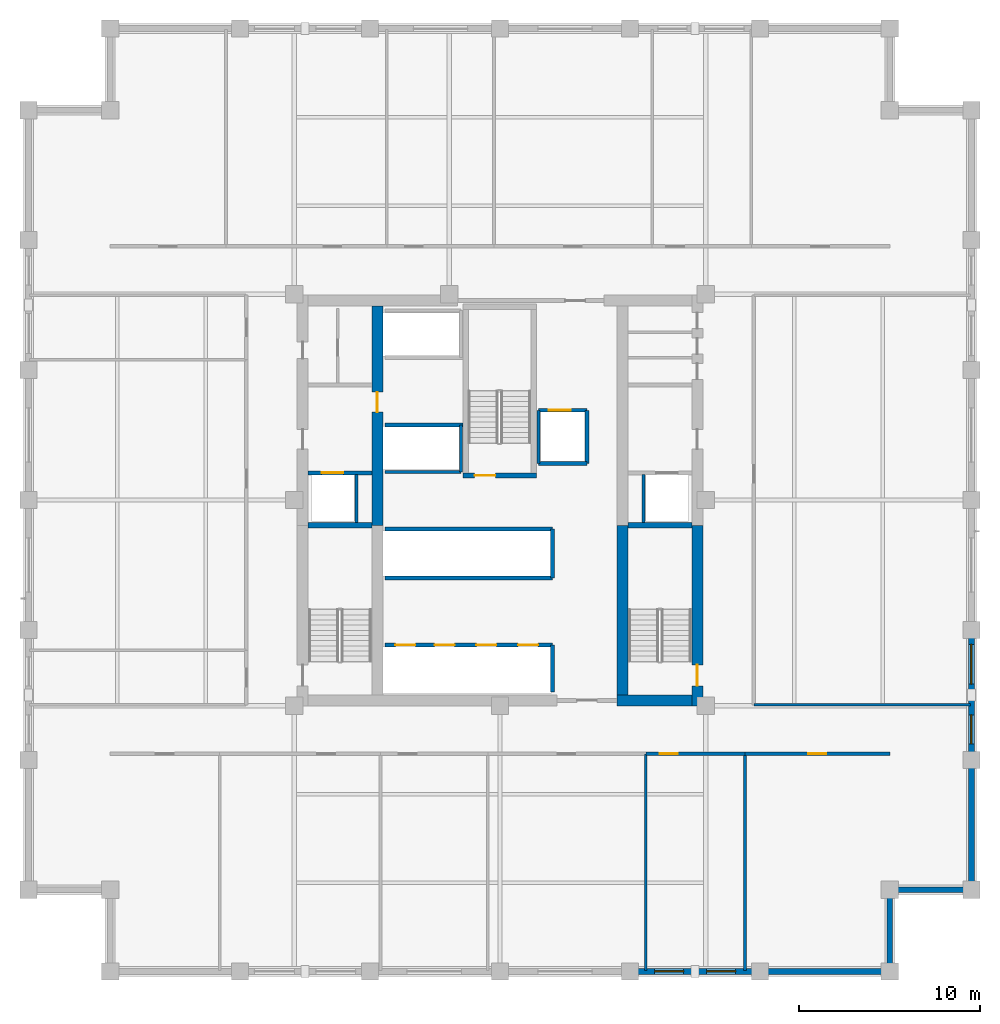
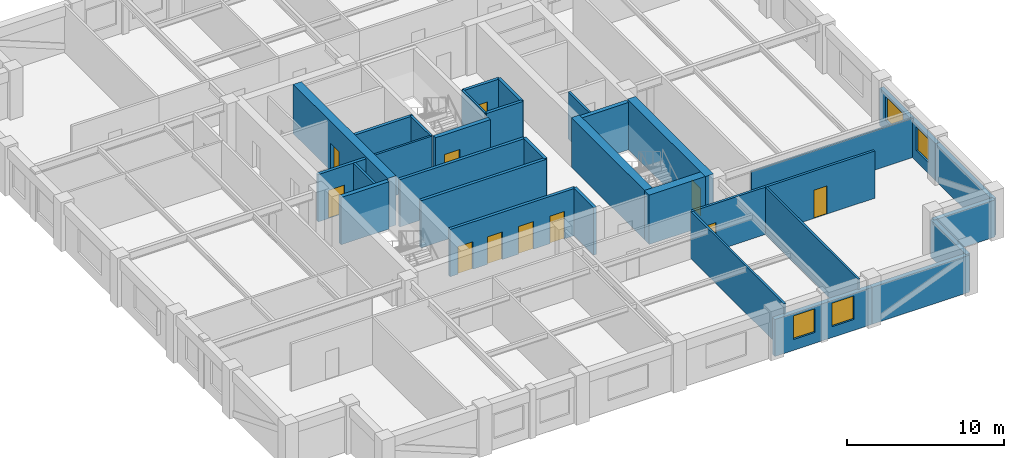
# One storey, part 6 of 9: 33 walls, 11 doors, 4 windows, 15 openings.
"""IFC4 building model written with IfcOpenShell, lengths in metres."""

from ifc_helpers import new_model, si_unit, direction, frame, frame_2d, origin, place, context, subcontext, project, spatial, rectangle, extrude, material, layer, layer_set, type_object, element, fill, save


model = new_model("IFC4")

# Units and contexts
model_context = context("Model", 3, precision=1e-05, world=origin(), true_north=direction((0.0, 1.0)))
body_context = subcontext(model_context, "Body", "Model", "MODEL_VIEW")
ifc_project = project(units=[si_unit("LENGTHUNIT", "METRE"), si_unit("AREAUNIT", "SQUARE_METRE"), si_unit("VOLUMEUNIT", "CUBIC_METRE"), si_unit("PLANEANGLEUNIT", "RADIAN"), si_unit("MASSUNIT", "GRAM", prefix="KILO")], contexts=[model_context])

# Site, building, storey
site_placement = place(None, origin())
site = spatial("IfcSite", under=ifc_project, at=site_placement, CompositionType="ELEMENT")
building_placement = place(site_placement, origin())
building = spatial("IfcBuilding", under=site, at=building_placement, Name="Nhamokura Convention Tower", CompositionType="ELEMENT")
storey_placement = place(building_placement, frame((0.0, 0.0, 126.0)))
storey = spatial("IfcBuildingStorey", under=building, at=storey_placement, Name="L30", CompositionType="ELEMENT", Elevation=126.0)

# Wall, openings, windows
ifc_material_1 = material(Name="Bronze-pigmented precast concrete C45/55", Category="concrete")
ifc_layer_1 = layer(ifc_material_1, 0.320068359375)
ifc_layer_set_1 = layer_set([ifc_layer_1], Name="BronzePrecastSpandrel_320")
wall_type_1 = type_object("IfcWallType", Name="BronzePrecastSpandrel_320", PredefinedType="USERDEFINED", material=ifc_layer_set_1)
wall_1_placement = place(storey_placement, frame((46.333251953125, 6.0, 0.0), z_axis=(0.0, 0.0, 1.0), x_axis=(-1.0, 0.0, 0.0)))
wall_1 = element("IfcWall", 1, at=wall_1_placement, inside=storey, type_object=wall_type_1, Name="L30 Masonry-Frame Wall SOUTH 4", ObjectType="SPANDREL_WALL", PredefinedType="USERDEFINED", context=body_context, shape_type="SweptSolid", body=[
    extrude(rectangle(XDim=7.16650390625, YDim=0.320068359375, at=frame_2d((3.583251953125, 0.0))), origin(), (0.0, 0.0, 1.0), 2.885009765625),
])
opening_1_placement = place(wall_1_placement, frame((1.341796875, 0.0, 0.85009765625)))
opening_1 = element("IfcOpeningElement", 2, at=opening_1_placement, cuts=wall_1, Name="Opening W-11", PredefinedType="OPENING", context=body_context, shape_type="SweptSolid", body=[
    extrude(rectangle(XDim=1.60009765625, YDim=1.8349609375, at=frame_2d((0.800048828125, 0.91748046875))), frame((0.0, 0.169921875, 0.0), z_axis=(0.0, -1.0, 0.0), x_axis=(1.0, 0.0, 0.0)), (0.0, 0.0, 1.0), 0.340087890625),
])
opening_2_placement = place(wall_1_placement, frame((4.199951171875, 0.0, 0.85009765625)))
opening_2 = element("IfcOpeningElement", 3, at=opening_2_placement, cuts=wall_1, Name="Opening W-11", PredefinedType="OPENING", context=body_context, shape_type="SweptSolid", body=[
    extrude(rectangle(XDim=1.60009765625, YDim=1.8349609375, at=frame_2d((0.800048828125, 0.91748046875))), frame((0.0, 0.169921875, 0.0), z_axis=(0.0, -1.0, 0.0), x_axis=(1.0, 0.0, 0.0)), (0.0, 0.0, 1.0), 0.340087890625),
])
ifc_material_2 = material(Name="Solar-control bronze low-E double glass", Category="glass")
window_type_1 = type_object("IfcWindowType", Name="NotchCornerWindow_1600", PartitioningType="SINGLE_PANEL", PredefinedType="WINDOW", material=ifc_material_2)
window_1_placement = place(opening_1_placement, origin())
window_1 = element("IfcWindow", 4, at=window_1_placement, inside=storey, type_object=window_type_1, Name="L30 Facade Window SOUTH 4-1", OverallHeight=1.8349609375, OverallWidth=1.60009765625, PartitioningType="SINGLE_PANEL", PredefinedType="WINDOW", context=body_context, shape_type="SweptSolid", body=[
    extrude(rectangle(XDim=1.60009765625, YDim=1.8349609375, at=frame_2d((0.800048828125, 0.91748046875))), frame((0.0, 0.030029296875, 0.0), z_axis=(0.0, -1.0, 0.0), x_axis=(1.0, 0.0, 0.0)), (0.0, 0.0, 1.0), 0.06005859375),
])
fill(opening_1, window_1)
window_2_placement = place(opening_2_placement, origin())
window_2 = element("IfcWindow", 5, at=window_2_placement, inside=storey, type_object=window_type_1, Name="L30 Facade Window SOUTH 4-2", OverallHeight=1.8349609375, OverallWidth=1.60009765625, PartitioningType="SINGLE_PANEL", PredefinedType="WINDOW", context=body_context, shape_type="SweptSolid", body=[
    extrude(rectangle(XDim=1.60009765625, YDim=1.8349609375, at=frame_2d((0.800048828125, 0.91748046875))), frame((0.0, 0.030029296875, 0.0), z_axis=(0.0, -1.0, 0.0), x_axis=(1.0, 0.0, 0.0)), (0.0, 0.0, 1.0), 0.06005859375),
])
fill(opening_2, window_2)

# Walls
for number, where, z_axis, x_axis, name in (
    (6, (53.5, 6.0, 0.0), (0.0, 0.0, 1.0), (-1.0, 0.0, 0.0), "L30 Braced-Bay Precast Wall SOUTH 5"),
    (7, (58.0, 17.666748046875, 0.0), (0.0, 0.0, 1.0), (0.0, -1.0, 0.0), "L30 Braced-Bay Precast Wall EAST 0"),
):
    element("IfcWall", number, at=place(storey_placement, frame(where, z_axis=z_axis, x_axis=x_axis)), inside=storey, type_object=wall_type_1, Name=name, ObjectType="SPANDREL_WALL", PredefinedType="USERDEFINED", context=body_context, shape_type="SweptSolid", body=[
        extrude(rectangle(XDim=7.166748046875, YDim=0.320068359375, at=frame_2d((3.58349609375, 0.0))), origin(), (0.0, 0.0, 1.0), 2.885009765625),
    ])

# Wall, openings, windows
wall_2_placement = place(storey_placement, frame((58.0, 24.833251953125, 0.0), z_axis=(0.0, 0.0, 1.0), x_axis=(0.0, -1.0, 0.0)))
wall_2 = element("IfcWall", 8, at=wall_2_placement, inside=storey, type_object=wall_type_1, Name="L30 Masonry-Frame Wall EAST 1", ObjectType="SPANDREL_WALL", PredefinedType="USERDEFINED", context=body_context, shape_type="SweptSolid", body=[
    extrude(rectangle(XDim=7.16650390625, YDim=0.320068359375, at=frame_2d((3.583251953125, 0.0))), origin(), (0.0, 0.0, 1.0), 2.885009765625),
])
opening_3_placement = place(wall_2_placement, frame((0.791748046875, 0.0, 0.85009765625)))
opening_3 = element("IfcOpeningElement", 9, at=opening_3_placement, cuts=wall_2, Name="Opening W-06", PredefinedType="OPENING", context=body_context, shape_type="SweptSolid", body=[
    extrude(rectangle(XDim=2.199951171875, YDim=1.8349609375, at=frame_2d((1.10009765625, 0.91748046875))), frame((0.0, 0.169921875, 0.0), z_axis=(0.0, -1.0, 0.0), x_axis=(1.0, 0.0, 0.0)), (0.0, 0.0, 1.0), 0.340087890625),
])
opening_4_placement = place(wall_2_placement, frame((4.6875, 0.0, 0.85009765625)))
opening_4 = element("IfcOpeningElement", 10, at=opening_4_placement, cuts=wall_2, Name="Opening W-11", PredefinedType="OPENING", context=body_context, shape_type="SweptSolid", body=[
    extrude(rectangle(XDim=1.60009765625, YDim=1.8349609375, at=frame_2d((0.800048828125, 0.91748046875))), frame((0.0, 0.169921875, 0.0), z_axis=(0.0, -1.0, 0.0), x_axis=(1.0, 0.0, 0.0)), (0.0, 0.0, 1.0), 0.340087890625),
])
window_3_placement = place(opening_4_placement, origin())
window_3 = element("IfcWindow", 11, at=window_3_placement, inside=storey, type_object=window_type_1, Name="L30 Facade Window EAST 1-2", OverallHeight=1.8349609375, OverallWidth=1.60009765625, PartitioningType="SINGLE_PANEL", PredefinedType="WINDOW", context=body_context, shape_type="SweptSolid", body=[
    extrude(rectangle(XDim=1.60009765625, YDim=1.8349609375, at=frame_2d((0.800048828125, 0.91748046875))), frame((0.0, 0.030029296875, 0.0), z_axis=(0.0, -1.0, 0.0), x_axis=(1.0, 0.0, 0.0)), (0.0, 0.0, 1.0), 0.06005859375),
])
fill(opening_4, window_3)
ifc_material_3 = material(Name="Solar-control bronze low-E double glass", Category="glass")
window_type_2 = type_object("IfcWindowType", Name="OfficeModuleWindow_Z2_2200", PartitioningType="SINGLE_PANEL", PredefinedType="WINDOW", material=ifc_material_3)
window_4_placement = place(opening_3_placement, origin())
window_4 = element("IfcWindow", 12, at=window_4_placement, inside=storey, type_object=window_type_2, Name="L30 Facade Window EAST 1-1", OverallHeight=1.8349609375, OverallWidth=2.199951171875, PartitioningType="SINGLE_PANEL", PredefinedType="WINDOW", context=body_context, shape_type="SweptSolid", body=[
    extrude(rectangle(XDim=2.199951171875, YDim=1.8349609375, at=frame_2d((1.10009765625, 0.91748046875))), frame((0.0, 0.030029296875, 0.0), z_axis=(0.0, -1.0, 0.0), x_axis=(1.0, 0.0, 0.0)), (0.0, 0.0, 1.0), 0.06005859375),
])
fill(opening_3, window_4)

# Walls
for number, where, z_axis, x_axis, name in (
    (13, (53.5, 10.5, 0.0), (0.0, 0.0, 1.0), (0.0, -1.0, 0.0), "L30 Notched Corner Wall SE1"),
    (14, (58.0, 10.5, 0.0), (0.0, 0.0, 1.0), (-1.0, 0.0, 0.0), "L30 Notched Corner Wall SE2"),
):
    element("IfcWall", number, at=place(storey_placement, frame(where, z_axis=z_axis, x_axis=x_axis)), inside=storey, type_object=wall_type_1, Name=name, ObjectType="SPANDREL_WALL", PredefinedType="USERDEFINED", context=body_context, shape_type="SweptSolid", body=[
        extrude(rectangle(XDim=4.5, YDim=0.320068359375, at=frame_2d((2.25, 0.0))), origin(), (0.0, 0.0, 1.0), 2.885009765625),
    ])

# Wall, opening, door
ifc_material_4 = material(Name="Concrete C60/75", Category="concrete")
ifc_layer_2 = layer(ifc_material_4, 0.60009765625)
ifc_layer_set_2 = layer_set([ifc_layer_2], Name="CoreShearWall_600")
wall_type_2 = type_object("IfcWallType", Name="CoreShearWall_600", PredefinedType="SHEAR", material=ifc_layer_set_2)
wall_3_placement = place(storey_placement, frame((42.889892578125, 20.64990234375, 0.0), z_axis=(0.0, 0.0, 1.0), x_axis=(0.0, 1.0, 0.0)))
wall_3 = element("IfcWall", 15, at=wall_3_placement, inside=storey, type_object=wall_type_2, Name="L30 Core Shear Wall CW-ES", PredefinedType="SHEAR", context=body_context, shape_type="SweptSolid", body=[
    extrude(rectangle(XDim=9.9501953125, YDim=0.60009765625, at=frame_2d((4.97509765625, 0.0))), origin(), (0.0, 0.0, 1.0), 3.85009765625),
])
opening_5_placement = place(wall_3_placement, frame((1.10009765625, 0.0, 0.0)))
opening_5 = element("IfcOpeningElement", 16, at=opening_5_placement, cuts=wall_3, Name="Opening D-04", PredefinedType="OPENING", context=body_context, shape_type="SweptSolid", body=[
    extrude(rectangle(XDim=1.14990234375, YDim=2.14990234375, at=frame_2d((0.574951171875, 1.074951171875))), frame((0.0, 0.31005859375, 0.0), z_axis=(0.0, -1.0, 0.0), x_axis=(1.0, 0.0, 0.0)), (0.0, 0.0, 1.0), 0.6201171875),
])
ifc_material_5 = material(Name="Fire-rated steel door", Category="steel")
door_type_1 = type_object("IfcDoorType", Name="StairSmokeDoor_1150", OperationType="NOTDEFINED", PredefinedType="DOOR", material=ifc_material_5)
door_1_placement = place(opening_5_placement, origin())
door_1 = element("IfcDoor", 17, at=door_1_placement, inside=storey, type_object=door_type_1, Name="L30 Core Door INT-L30-D-ST02", OperationType="SINGLE_SWING_RIGHT", OverallHeight=2.14990234375, OverallWidth=1.14990234375, PredefinedType="DOOR", context=body_context, shape_type="SweptSolid", body=[
    extrude(rectangle(XDim=1.14990234375, YDim=2.14990234375, at=frame_2d((0.574951171875, 1.074951171875))), frame((0.0, 0.02490234375, 0.0), z_axis=(0.0, -1.0, 0.0), x_axis=(1.0, 0.0, 0.0)), (0.0, 0.0, 1.0), 0.050048828125),
])
fill(opening_5, door_1)

# Wall
wall_4_placement = place(storey_placement, frame((38.449951171875, 20.949951171875, 0.0), z_axis=(0.0, 0.0, 1.0), x_axis=(1.0, 0.0, 0.0)))
element("IfcWall", 18, at=wall_4_placement, inside=storey, type_object=wall_type_2, Name="L30 Core Shear Wall CW-S2", PredefinedType="SHEAR", context=body_context, shape_type="SweptSolid", body=[
    extrude(rectangle(XDim=4.14013671875, YDim=0.60009765625, at=frame_2d((2.070068359375, 0.0))), origin(), (0.0, 0.0, 1.0), 3.85009765625),
])

# Wall, opening, door
wall_5_placement = place(storey_placement, frame((25.239990234375, 30.60009765625, 0.0), z_axis=(0.0, 0.0, 1.0), x_axis=(0.0, 1.0, 0.0)))
wall_5 = element("IfcWall", 19, at=wall_5_placement, inside=storey, type_object=wall_type_2, Name="L30 Core Shear Wall CW-IWN", PredefinedType="SHEAR", context=body_context, shape_type="SweptSolid", body=[
    extrude(rectangle(XDim=12.099853515625, YDim=0.60009765625, at=frame_2d((6.0498046875, 0.0))), origin(), (0.0, 0.0, 1.0), 3.85009765625),
])
opening_6_placement = place(wall_5_placement, frame((6.25, 0.0, 0.0)))
opening_6 = element("IfcOpeningElement", 20, at=opening_6_placement, cuts=wall_5, Name="Opening D-05", PredefinedType="OPENING", context=body_context, shape_type="SweptSolid", body=[
    extrude(rectangle(XDim=1.10009765625, YDim=2.14990234375, at=frame_2d((0.550048828125, 1.074951171875))), frame((0.0, 0.31005859375, 0.0), z_axis=(0.0, -1.0, 0.0), x_axis=(1.0, 0.0, 0.0)), (0.0, 0.0, 1.0), 0.6201171875),
])
ifc_material_6 = material(Name="Fire-rated steel door", Category="steel")
door_type_2 = type_object("IfcDoorType", Name="FireLobbyDoor_1100", OperationType="NOTDEFINED", PredefinedType="DOOR", material=ifc_material_6)
door_2_placement = place(opening_6_placement, origin())
door_2 = element("IfcDoor", 21, at=door_2_placement, inside=storey, type_object=door_type_2, Name="L30 Core Door INT-L30-D-B3LOB", OperationType="SINGLE_SWING_LEFT", OverallHeight=2.14990234375, OverallWidth=1.10009765625, PredefinedType="DOOR", context=body_context, shape_type="SweptSolid", body=[
    extrude(rectangle(XDim=1.10009765625, YDim=2.14990234375, at=frame_2d((0.550048828125, 1.074951171875))), frame((0.0, 0.02490234375, 0.0), z_axis=(0.0, -1.0, 0.0), x_axis=(1.0, 0.0, 0.0)), (0.0, 0.0, 1.0), 0.050048828125),
])
fill(opening_6, door_2)

# Wall
wall_6_placement = place(storey_placement, frame((38.760009765625, 21.25, 0.0), z_axis=(0.0, 0.0, 1.0), x_axis=(0.0, 1.0, 0.0)))
element("IfcWall", 22, at=wall_6_placement, inside=storey, type_object=wall_type_2, Name="L30 Core Shear Wall CW-IES", PredefinedType="SHEAR", context=body_context, shape_type="SweptSolid", body=[
    extrude(rectangle(XDim=9.35009765625, YDim=0.60009765625, at=frame_2d((4.675048828125, 0.0))), origin(), (0.0, 0.0, 1.0), 3.85009765625),
])

# Wall, opening, door
ifc_material_7 = material(Name="Fire-rated gypsum and masonry partition", Category="masonry")
ifc_layer_3 = layer(ifc_material_7, 0.179931640625)
ifc_layer_set_3 = layer_set([ifc_layer_3], Name="CorridorRatedWall_180")
wall_type_3 = type_object("IfcWallType", Name="CorridorRatedWall_180", PredefinedType="STANDARD", material=ifc_layer_set_3)
wall_7_placement = place(storey_placement, frame((40.041748046875, 18.0, 0.0), z_axis=(0.0, 0.0, 1.0), x_axis=(1.0, 0.0, 0.0)))
wall_7 = element("IfcWall", 23, at=wall_7_placement, inside=storey, type_object=wall_type_3, Name="L30 Wall INT-L30-CW-S04", PredefinedType="STANDARD", context=body_context, shape_type="SweptSolid", body=[
    extrude(rectangle(XDim=5.466552734375, YDim=0.179931640625, at=frame_2d((2.7333984375, 0.0))), origin(), (0.0, 0.0, 1.0), 3.68505859375),
])
opening_7_placement = place(wall_7_placement, frame((0.783203125, 0.0, 0.0)))
opening_7 = element("IfcOpeningElement", 24, at=opening_7_placement, cuts=wall_7, Name="Opening D-08", PredefinedType="OPENING", context=body_context, shape_type="SweptSolid", body=[
    extrude(rectangle(XDim=0.97998046875, YDim=2.199951171875, at=frame_2d((0.489990234375, 1.10009765625))), frame((0.0, 0.099853515625, 0.0), z_axis=(0.0, -1.0, 0.0), x_axis=(1.0, 0.0, 0.0)), (0.0, 0.0, 1.0), 0.199951171875),
])
ifc_material_8 = material(Name="Solid oak hardwood", Category="wood")
door_type_3 = type_object("IfcDoorType", Name="OfficeEntryDoor_980", OperationType="NOTDEFINED", PredefinedType="DOOR", material=ifc_material_8)
door_3_placement = place(opening_7_placement, origin())
door_3 = element("IfcDoor", 25, at=door_3_placement, inside=storey, type_object=door_type_3, Name="L30 Private Office S05 Door", OperationType="SINGLE_SWING_LEFT", OverallHeight=2.199951171875, OverallWidth=0.97998046875, PredefinedType="DOOR", context=body_context, shape_type="SweptSolid", body=[
    extrude(rectangle(XDim=0.97998046875, YDim=2.199951171875, at=frame_2d((0.489990234375, 1.10009765625))), frame((0.0, 0.02490234375, 0.0), z_axis=(0.0, -1.0, 0.0), x_axis=(1.0, 0.0, 0.0)), (0.0, 0.0, 1.0), 0.050048828125),
])
fill(opening_7, door_3)

wall_8_placement = place(storey_placement, frame((45.50830078125, 18.0, 0.0), z_axis=(0.0, 0.0, 1.0), x_axis=(1.0, 0.0, 0.0)))
wall_8 = element("IfcWall", 26, at=wall_8_placement, inside=storey, type_object=wall_type_3, Name="L30 Wall INT-L30-CW-S05", PredefinedType="STANDARD", context=body_context, shape_type="SweptSolid", body=[
    extrude(rectangle(XDim=7.99169921875, YDim=0.179931640625, at=frame_2d((3.995849609375, 0.0))), origin(), (0.0, 0.0, 1.0), 3.68505859375),
])
opening_8_placement = place(wall_8_placement, frame((3.495849609375, 0.0, 0.0)))
opening_8 = element("IfcOpeningElement", 27, at=opening_8_placement, cuts=wall_8, Name="Opening D-08", PredefinedType="OPENING", context=body_context, shape_type="SweptSolid", body=[
    extrude(rectangle(XDim=0.97998046875, YDim=2.199951171875, at=frame_2d((0.489990234375, 1.10009765625))), frame((0.0, 0.099853515625, 0.0), z_axis=(0.0, -1.0, 0.0), x_axis=(1.0, 0.0, 0.0)), (0.0, 0.0, 1.0), 0.199951171875),
])
door_4_placement = place(opening_8_placement, origin())
door_4 = element("IfcDoor", 28, at=door_4_placement, inside=storey, type_object=door_type_3, Name="L30 Private Office S06 Door", OperationType="SINGLE_SWING_RIGHT", OverallHeight=2.199951171875, OverallWidth=0.97998046875, PredefinedType="DOOR", context=body_context, shape_type="SweptSolid", body=[
    extrude(rectangle(XDim=0.97998046875, YDim=2.199951171875, at=frame_2d((0.489990234375, 1.10009765625))), frame((0.0, 0.02490234375, 0.0), z_axis=(0.0, -1.0, 0.0), x_axis=(1.0, 0.0, 0.0)), (0.0, 0.0, 1.0), 0.050048828125),
])
fill(opening_8, door_4)

ifc_material_9 = material(Name="Autoclaved concrete blockwork", Category="masonry")
ifc_layer_4 = layer(ifc_material_9, 0.219970703125)
ifc_layer_set_4 = layer_set([ifc_layer_4], Name="FireLobbyWall_220")
wall_type_4 = type_object("IfcWallType", Name="FireLobbyWall_220", PredefinedType="STANDARD", material=ifc_layer_set_4)
wall_9_placement = place(storey_placement, frame((21.409912109375, 33.5, 0.0), z_axis=(0.0, 0.0, 1.0), x_axis=(1.0, 0.0, 0.0)))
wall_9 = element("IfcWall", 29, at=wall_9_placement, inside=storey, type_object=wall_type_4, Name="L30 Wall INT-L30-FFW-S", PredefinedType="STANDARD", context=body_context, shape_type="SweptSolid", body=[
    extrude(rectangle(XDim=3.530029296875, YDim=0.219970703125, at=frame_2d((1.76513671875, 0.0))), origin(), (0.0, 0.0, 1.0), 3.68505859375),
])
opening_9_placement = place(wall_9_placement, frame((0.75, 0.0, 0.0)))
opening_9 = element("IfcOpeningElement", 30, at=opening_9_placement, cuts=wall_9, Name="Opening LD-02", PredefinedType="OPENING", context=body_context, shape_type="SweptSolid", body=[
    extrude(rectangle(XDim=1.199951171875, YDim=2.199951171875, at=frame_2d((0.60009765625, 1.10009765625))), frame((0.0, 0.119873046875, 0.0), z_axis=(0.0, -1.0, 0.0), x_axis=(1.0, 0.0, 0.0)), (0.0, 0.0, 1.0), 0.239990234375),
])
ifc_material_10 = material(Name="Anodised bronze stainless steel", Category="steel")
door_type_4 = type_object("IfcDoorType", Name="LiftLandingDoor_FireService", OperationType="DOUBLE_DOOR_SLIDING", PredefinedType="DOOR", material=ifc_material_10)
door_5_placement = place(opening_9_placement, origin())
door_5 = element("IfcDoor", 31, at=door_5_placement, inside=storey, type_object=door_type_4, Name="L30 Firefighting Lift LF-01 Door", OperationType="DOUBLE_DOOR_SLIDING", OverallHeight=2.199951171875, OverallWidth=1.199951171875, PredefinedType="DOOR", context=body_context, shape_type="SweptSolid", body=[
    extrude(rectangle(XDim=1.199951171875, YDim=2.199951171875, at=frame_2d((0.60009765625, 1.10009765625))), frame((0.0, 0.02490234375, 0.0), z_axis=(0.0, -1.0, 0.0), x_axis=(1.0, 0.0, 0.0)), (0.0, 0.0, 1.0), 0.050048828125),
])
fill(opening_9, door_5)

# Wall, openings, doors
wall_10_placement = place(storey_placement, frame((25.64990234375, 24.0, 0.0), z_axis=(0.0, 0.0, 1.0), x_axis=(1.0, 0.0, 0.0)))
wall_10 = element("IfcWall", 32, at=wall_10_placement, inside=storey, type_object=wall_type_4, Name="L30 Wall INT-L30-B1N", PredefinedType="STANDARD", context=body_context, shape_type="SweptSolid", body=[
    extrude(rectangle(XDim=9.25, YDim=0.219970703125, at=frame_2d((4.625, 0.0))), origin(), (0.0, 0.0, 1.0), 3.68505859375),
])
opening_10_placement = place(wall_10_placement, frame((0.580078125, 0.0, 0.0)))
opening_10 = element("IfcOpeningElement", 33, at=opening_10_placement, cuts=wall_10, Name="Opening LD-01", PredefinedType="OPENING", context=body_context, shape_type="SweptSolid", body=[
    extrude(rectangle(XDim=1.10009765625, YDim=2.14990234375, at=frame_2d((0.550048828125, 1.074951171875))), frame((0.0, 0.119873046875, 0.0), z_axis=(0.0, -1.0, 0.0), x_axis=(1.0, 0.0, 0.0)), (0.0, 0.0, 1.0), 0.239990234375),
])
opening_11_placement = place(wall_10_placement, frame((2.75, 0.0, 0.0)))
opening_11 = element("IfcOpeningElement", 34, at=opening_11_placement, cuts=wall_10, Name="Opening LD-01", PredefinedType="OPENING", context=body_context, shape_type="SweptSolid", body=[
    extrude(rectangle(XDim=1.10009765625, YDim=2.14990234375, at=frame_2d((0.550048828125, 1.074951171875))), frame((0.0, 0.119873046875, 0.0), z_axis=(0.0, -1.0, 0.0), x_axis=(1.0, 0.0, 0.0)), (0.0, 0.0, 1.0), 0.239990234375),
])
opening_12_placement = place(wall_10_placement, frame((5.050048828125, 0.0, 0.0)))
opening_12 = element("IfcOpeningElement", 35, at=opening_12_placement, cuts=wall_10, Name="Opening LD-01", PredefinedType="OPENING", context=body_context, shape_type="SweptSolid", body=[
    extrude(rectangle(XDim=1.10009765625, YDim=2.14990234375, at=frame_2d((0.550048828125, 1.074951171875))), frame((0.0, 0.119873046875, 0.0), z_axis=(0.0, -1.0, 0.0), x_axis=(1.0, 0.0, 0.0)), (0.0, 0.0, 1.0), 0.239990234375),
])
opening_13_placement = place(wall_10_placement, frame((7.35009765625, 0.0, 0.0)))
opening_13 = element("IfcOpeningElement", 36, at=opening_13_placement, cuts=wall_10, Name="Opening LD-01", PredefinedType="OPENING", context=body_context, shape_type="SweptSolid", body=[
    extrude(rectangle(XDim=1.10009765625, YDim=2.14990234375, at=frame_2d((0.550048828125, 1.074951171875))), frame((0.0, 0.119873046875, 0.0), z_axis=(0.0, -1.0, 0.0), x_axis=(1.0, 0.0, 0.0)), (0.0, 0.0, 1.0), 0.239990234375),
])
ifc_material_11 = material(Name="Anodised bronze stainless steel", Category="steel")
door_type_5 = type_object("IfcDoorType", Name="LiftLandingDoor_Passenger", OperationType="DOUBLE_DOOR_SLIDING", PredefinedType="DOOR", material=ifc_material_11)
door_6_placement = place(opening_10_placement, origin())
door_6 = element("IfcDoor", 37, at=door_6_placement, inside=storey, type_object=door_type_5, Name="L30 Lift LP-01 Landing Door", OperationType="DOUBLE_DOOR_SLIDING", OverallHeight=2.14990234375, OverallWidth=1.10009765625, PredefinedType="DOOR", context=body_context, shape_type="SweptSolid", body=[
    extrude(rectangle(XDim=1.10009765625, YDim=2.14990234375, at=frame_2d((0.550048828125, 1.074951171875))), frame((0.0, 0.02490234375, 0.0), z_axis=(0.0, -1.0, 0.0), x_axis=(1.0, 0.0, 0.0)), (0.0, 0.0, 1.0), 0.050048828125),
])
fill(opening_10, door_6)
door_7_placement = place(opening_11_placement, origin())
door_7 = element("IfcDoor", 38, at=door_7_placement, inside=storey, type_object=door_type_5, Name="L30 Lift LP-02 Landing Door", OperationType="DOUBLE_DOOR_SLIDING", OverallHeight=2.14990234375, OverallWidth=1.10009765625, PredefinedType="DOOR", context=body_context, shape_type="SweptSolid", body=[
    extrude(rectangle(XDim=1.10009765625, YDim=2.14990234375, at=frame_2d((0.550048828125, 1.074951171875))), frame((0.0, 0.02490234375, 0.0), z_axis=(0.0, -1.0, 0.0), x_axis=(1.0, 0.0, 0.0)), (0.0, 0.0, 1.0), 0.050048828125),
])
fill(opening_11, door_7)
door_8_placement = place(opening_12_placement, origin())
door_8 = element("IfcDoor", 39, at=door_8_placement, inside=storey, type_object=door_type_5, Name="L30 Lift LP-03 Landing Door", OperationType="DOUBLE_DOOR_SLIDING", OverallHeight=2.14990234375, OverallWidth=1.10009765625, PredefinedType="DOOR", context=body_context, shape_type="SweptSolid", body=[
    extrude(rectangle(XDim=1.10009765625, YDim=2.14990234375, at=frame_2d((0.550048828125, 1.074951171875))), frame((0.0, 0.02490234375, 0.0), z_axis=(0.0, -1.0, 0.0), x_axis=(1.0, 0.0, 0.0)), (0.0, 0.0, 1.0), 0.050048828125),
])
fill(opening_12, door_8)
door_9_placement = place(opening_13_placement, origin())
door_9 = element("IfcDoor", 40, at=door_9_placement, inside=storey, type_object=door_type_5, Name="L30 Lift LP-04 Landing Door", OperationType="DOUBLE_DOOR_SLIDING", OverallHeight=2.14990234375, OverallWidth=1.10009765625, PredefinedType="DOOR", context=body_context, shape_type="SweptSolid", body=[
    extrude(rectangle(XDim=1.10009765625, YDim=2.14990234375, at=frame_2d((0.550048828125, 1.074951171875))), frame((0.0, 0.02490234375, 0.0), z_axis=(0.0, -1.0, 0.0), x_axis=(1.0, 0.0, 0.0)), (0.0, 0.0, 1.0), 0.050048828125),
])
fill(opening_13, door_9)

# Walls
wall_11_placement = place(storey_placement, frame((34.89990234375, 21.39990234375, 0.0), z_axis=(0.0, 0.0, 1.0), x_axis=(0.0, 1.0, 0.0)))
element("IfcWall", 41, at=wall_11_placement, inside=storey, type_object=wall_type_4, Name="L30 Wall INT-L30-B1E", PredefinedType="STANDARD", context=body_context, shape_type="SweptSolid", body=[
    extrude(rectangle(XDim=2.60009765625, YDim=0.219970703125, at=frame_2d((1.300048828125, 0.0))), origin(), (0.0, 0.0, 1.0), 3.68505859375),
])
for number, where, z_axis, x_axis, name in (
    (42, (25.64990234375, 27.699951171875, 0.0), (0.0, 0.0, 1.0), (1.0, 0.0, 0.0), "L30 Wall INT-L30-B2S"),
    (43, (25.64990234375, 30.39990234375, 0.0), (0.0, 0.0, 1.0), (1.0, 0.0, 0.0), "L30 Wall INT-L30-B2N"),
):
    element("IfcWall", number, at=place(storey_placement, frame(where, z_axis=z_axis, x_axis=x_axis)), inside=storey, type_object=wall_type_4, Name=name, PredefinedType="STANDARD", context=body_context, shape_type="SweptSolid", body=[
        extrude(rectangle(XDim=9.25, YDim=0.219970703125, at=frame_2d((4.625, 0.0))), origin(), (0.0, 0.0, 1.0), 3.68505859375),
    ])
wall_12_placement = place(storey_placement, frame((34.89990234375, 27.699951171875, 0.0), z_axis=(0.0, 0.0, 1.0), x_axis=(0.0, 1.0, 0.0)))
element("IfcWall", 44, at=wall_12_placement, inside=storey, type_object=wall_type_4, Name="L30 Wall INT-L30-B2E", PredefinedType="STANDARD", context=body_context, shape_type="SweptSolid", body=[
    extrude(rectangle(XDim=2.699951171875, YDim=0.219970703125, at=frame_2d((1.35009765625, 0.0))), origin(), (0.0, 0.0, 1.0), 3.68505859375),
])
wall_13_placement = place(storey_placement, frame((25.64990234375, 36.14990234375, 0.0), z_axis=(0.0, 0.0, 1.0), x_axis=(1.0, 0.0, 0.0)))
element("IfcWall", 45, at=wall_13_placement, inside=storey, type_object=wall_type_4, Name="L30 Wall INT-L30-B3S", PredefinedType="STANDARD", context=body_context, shape_type="SweptSolid", body=[
    extrude(rectangle(XDim=4.300048828125, YDim=0.219970703125, at=frame_2d((2.14990234375, 0.0))), origin(), (0.0, 0.0, 1.0), 3.68505859375),
])

# Wall, opening, door
wall_14_placement = place(storey_placement, frame((34.1201171875, 36.949951171875, 0.0), z_axis=(0.0, 0.0, 1.0), x_axis=(1.0, 0.0, 0.0)))
wall_14 = element("IfcWall", 46, at=wall_14_placement, inside=storey, type_object=wall_type_4, Name="L30 Wall INT-L30-LSN", PredefinedType="STANDARD", context=body_context, shape_type="SweptSolid", body=[
    extrude(rectangle(XDim=2.679931640625, YDim=0.219970703125, at=frame_2d((1.33984375, 0.0))), origin(), (0.0, 0.0, 1.0), 3.68505859375),
])
opening_14_placement = place(wall_14_placement, frame((0.580078125, 0.0, 0.0)))
opening_14 = element("IfcOpeningElement", 47, at=opening_14_placement, cuts=wall_14, Name="Opening LD-02", PredefinedType="OPENING", context=body_context, shape_type="SweptSolid", body=[
    extrude(rectangle(XDim=1.199951171875, YDim=2.199951171875, at=frame_2d((0.60009765625, 1.10009765625))), frame((0.0, 0.119873046875, 0.0), z_axis=(0.0, -1.0, 0.0), x_axis=(1.0, 0.0, 0.0)), (0.0, 0.0, 1.0), 0.239990234375),
])
door_10_placement = place(opening_14_placement, origin())
door_10 = element("IfcDoor", 48, at=door_10_placement, inside=storey, type_object=door_type_4, Name="L30 Service Lift LS-01 Door", OperationType="DOUBLE_DOOR_SLIDING", OverallHeight=2.199951171875, OverallWidth=1.199951171875, PredefinedType="DOOR", context=body_context, shape_type="SweptSolid", body=[
    extrude(rectangle(XDim=1.199951171875, YDim=2.199951171875, at=frame_2d((0.60009765625, 1.10009765625))), frame((0.0, 0.02490234375, 0.0), z_axis=(0.0, -1.0, 0.0), x_axis=(1.0, 0.0, 0.0)), (0.0, 0.0, 1.0), 0.050048828125),
])
fill(opening_14, door_10)

# Walls
wall_15_placement = place(storey_placement, frame((36.800048828125, 34.02001953125, 0.0), z_axis=(0.0, 0.0, 1.0), x_axis=(0.0, 1.0, 0.0)))
element("IfcWall", 49, at=wall_15_placement, inside=storey, type_object=wall_type_4, Name="L30 Wall INT-L30-LSE", PredefinedType="STANDARD", context=body_context, shape_type="SweptSolid", body=[
    extrude(rectangle(XDim=2.929931640625, YDim=0.219970703125, at=frame_2d((1.46484375, 0.0))), origin(), (0.0, 0.0, 1.0), 3.68505859375),
])
wall_16_placement = place(storey_placement, frame((34.1201171875, 34.02001953125, 0.0), z_axis=(0.0, 0.0, 1.0), x_axis=(1.0, 0.0, 0.0)))
element("IfcWall", 50, at=wall_16_placement, inside=storey, type_object=wall_type_4, Name="L30 Wall INT-L30-LSS", PredefinedType="STANDARD", context=body_context, shape_type="SweptSolid", body=[
    extrude(rectangle(XDim=2.679931640625, YDim=0.219970703125, at=frame_2d((1.33984375, 0.0))), origin(), (0.0, 0.0, 1.0), 3.68505859375),
])
ifc_material_12 = material(Name="Acoustic gypsum stud partition", Category="masonry")
ifc_layer_5 = layer(ifc_material_12, 0.14990234375)
ifc_layer_set_5 = layer_set([ifc_layer_5], Name="InteriorPartition_150")
wall_type_5 = type_object("IfcWallType", Name="InteriorPartition_150", PredefinedType="STANDARD", material=ifc_layer_set_5)
for number, where, z_axis, x_axis, name in (
    (51, (24.080078125, 30.75, 0.0), (0.0, 0.0, 1.0), (0.0, 1.0, 0.0), "L30 Wall INT-L30-FF1-E"),
    (52, (39.919921875, 30.75, 0.0), (0.0, 0.0, 1.0), (0.0, 1.0, 0.0), "L30 Wall INT-L30-FF2-W"),
):
    element("IfcWall", number, at=place(storey_placement, frame(where, z_axis=z_axis, x_axis=x_axis)), inside=storey, type_object=wall_type_5, Name=name, PredefinedType="STANDARD", context=body_context, shape_type="SweptSolid", body=[
        extrude(rectangle(XDim=2.64990234375, YDim=0.14990234375, at=frame_2d((1.324951171875, 0.0))), origin(), (0.0, 0.0, 1.0), 3.68505859375),
    ])
wall_17_placement = place(storey_placement, frame((25.64990234375, 33.550048828125, 0.0), z_axis=(0.0, 0.0, 1.0), x_axis=(1.0, 0.0, 0.0)))
element("IfcWall", 53, at=wall_17_placement, inside=storey, type_object=wall_type_5, Name="L30 Wall INT-L30-B3A-S", PredefinedType="STANDARD", context=body_context, shape_type="SweptSolid", body=[
    extrude(rectangle(XDim=4.2001953125, YDim=0.14990234375, at=frame_2d((2.10009765625, 0.0))), origin(), (0.0, 0.0, 1.0), 3.68505859375),
])
wall_18_placement = place(storey_placement, frame((29.85009765625, 33.550048828125, 0.0), z_axis=(0.0, 0.0, 1.0), x_axis=(0.0, 1.0, 0.0)))
element("IfcWall", 54, at=wall_18_placement, inside=storey, type_object=wall_type_5, Name="L30 Wall INT-L30-B3A-E", PredefinedType="STANDARD", context=body_context, shape_type="SweptSolid", body=[
    extrude(rectangle(XDim=2.599853515625, YDim=0.14990234375, at=frame_2d((1.2998046875, 0.0))), origin(), (0.0, 0.0, 1.0), 3.68505859375),
])
wall_19_placement = place(storey_placement, frame((34.1201171875, 34.02001953125, 0.0), z_axis=(0.0, 0.0, 1.0), x_axis=(0.0, 1.0, 0.0)))
element("IfcWall", 55, at=wall_19_placement, inside=storey, type_object=wall_type_5, Name="L30 Wall INT-L30-LSW", PredefinedType="STANDARD", context=body_context, shape_type="SweptSolid", body=[
    extrude(rectangle(XDim=2.929931640625, YDim=0.14990234375, at=frame_2d((1.46484375, 0.0))), origin(), (0.0, 0.0, 1.0), 3.68505859375),
])
for number, where, z_axis, x_axis, name in (
    (56, (40.041748046875, 6.06005859375, 0.0), (0.0, 0.0, 1.0), (0.0, 1.0, 0.0), "L30 Wall INT-L30-RW-S04"),
    (57, (45.50830078125, 6.06005859375, 0.0), (0.0, 0.0, 1.0), (0.0, 1.0, 0.0), "L30 Wall INT-L30-RW-S05"),
):
    element("IfcWall", number, at=place(storey_placement, frame(where, z_axis=z_axis, x_axis=x_axis)), inside=storey, type_object=wall_type_5, Name=name, PredefinedType="STANDARD", context=body_context, shape_type="SweptSolid", body=[
        extrude(rectangle(XDim=11.93994140625, YDim=0.14990234375, at=frame_2d((5.969970703125, 0.0))), origin(), (0.0, 0.0, 1.0), 3.68505859375),
    ])
wall_20_placement = place(storey_placement, frame((46.0, 20.699951171875, 0.0), z_axis=(0.0, 0.0, 1.0), x_axis=(1.0, 0.0, 0.0)))
element("IfcWall", 58, at=wall_20_placement, inside=storey, type_object=wall_type_5, Name="L30 Wall INT-L30-RWB-E", PredefinedType="STANDARD", context=body_context, shape_type="SweptSolid", body=[
    extrude(rectangle(XDim=11.93994140625, YDim=0.14990234375, at=frame_2d((5.969970703125, 0.0))), origin(), (0.0, 0.0, 1.0), 3.055908203125),
])
ifc_material_13 = material(Name="Concrete C50/60", Category="concrete")
ifc_layer_6 = layer(ifc_material_13, 0.300048828125)
ifc_layer_set_6 = layer_set([ifc_layer_6], Name="ShaftEnclosureWall_300")
wall_type_6 = type_object("IfcWallType", Name="ShaftEnclosureWall_300", PredefinedType="SHEAR", material=ifc_layer_set_6)
for number, where, z_axis, x_axis, name in (
    (59, (21.409912109375, 30.60009765625, 0.0), (0.0, 0.0, 1.0), (1.0, 0.0, 0.0), "L30 Wall INT-L30-ST01-N"),
    (60, (39.06005859375, 30.60009765625, 0.0), (0.0, 0.0, 1.0), (1.0, 0.0, 0.0), "L30 Wall INT-L30-ST02-N"),
):
    element("IfcWall", number, at=place(storey_placement, frame(where, z_axis=z_axis, x_axis=x_axis)), inside=storey, type_object=wall_type_6, Name=name, PredefinedType="SHEAR", context=body_context, shape_type="SweptSolid", body=[
        extrude(rectangle(XDim=3.530029296875, YDim=0.300048828125, at=frame_2d((1.76513671875, 0.0))), origin(), (0.0, 0.0, 1.0), 3.68505859375),
    ])

# Wall, opening, door
wall_21_placement = place(storey_placement, frame((29.949951171875, 33.35009765625, 0.0), z_axis=(0.0, 0.0, 1.0), x_axis=(1.0, 0.0, 0.0)))
wall_21 = element("IfcWall", 61, at=wall_21_placement, inside=storey, type_object=wall_type_6, Name="L30 Wall INT-L30-ST03S", PredefinedType="SHEAR", context=body_context, shape_type="SweptSolid", body=[
    extrude(rectangle(XDim=4.050048828125, YDim=0.300048828125, at=frame_2d((2.02490234375, 0.0))), origin(), (0.0, 0.0, 1.0), 3.68505859375),
])
opening_15_placement = place(wall_21_placement, frame((0.64990234375, 0.0, 0.0)))
opening_15 = element("IfcOpeningElement", 62, at=opening_15_placement, cuts=wall_21, Name="Opening D-04", PredefinedType="OPENING", context=body_context, shape_type="SweptSolid", body=[
    extrude(rectangle(XDim=1.14990234375, YDim=2.14990234375, at=frame_2d((0.574951171875, 1.074951171875))), frame((0.0, 0.159912109375, 0.0), z_axis=(0.0, -1.0, 0.0), x_axis=(1.0, 0.0, 0.0)), (0.0, 0.0, 1.0), 0.320068359375),
])
door_11_placement = place(opening_15_placement, origin())
door_11 = element("IfcDoor", 63, at=door_11_placement, inside=storey, type_object=door_type_1, Name="L30 Stair ST-03 Smoke Door", OperationType="SINGLE_SWING_LEFT", OverallHeight=2.14990234375, OverallWidth=1.14990234375, PredefinedType="DOOR", context=body_context, shape_type="SweptSolid", body=[
    extrude(rectangle(XDim=1.14990234375, YDim=2.14990234375, at=frame_2d((0.574951171875, 1.074951171875))), frame((0.0, 0.02490234375, 0.0), z_axis=(0.0, -1.0, 0.0), x_axis=(1.0, 0.0, 0.0)), (0.0, 0.0, 1.0), 0.050048828125),
])
fill(opening_15, door_11)

save(model, "model.ifc")
